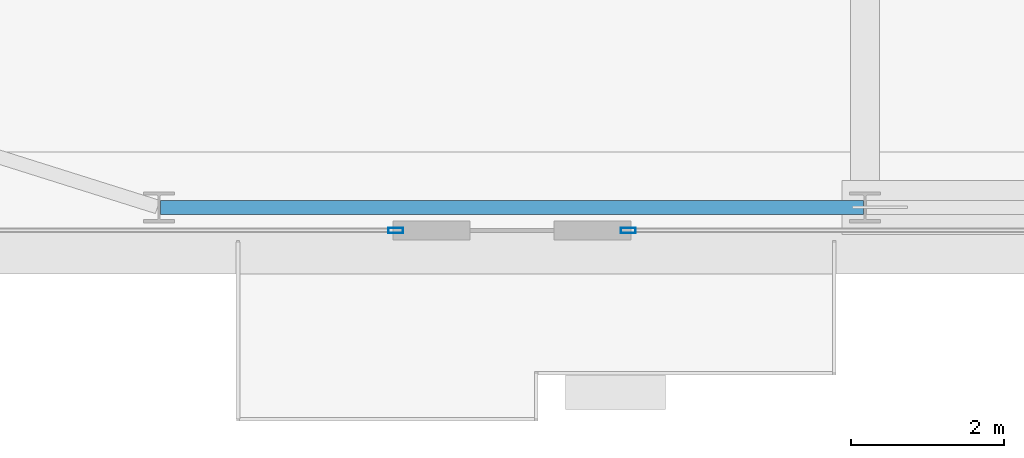
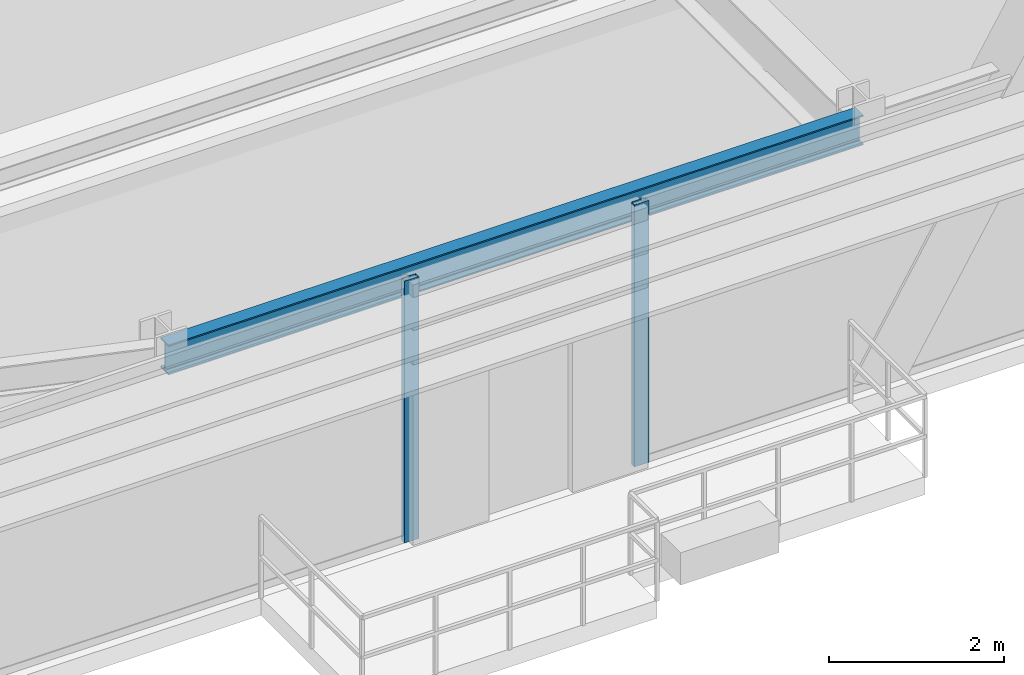
# One storey, part 5 of 32: 2 members, 1 beam, 2 elements without a shape of their own.
"""IFC4 building model written with IfcOpenShell, lengths in metres."""

from ifc_helpers import new_model, si_unit, direction, frame, origin, origin_2d, place, context, subcontext, project, spatial, hollow_rectangle, i_section, extrude, source, transform, mapped, material, layer, layer_set, material_profile, profile_set, type_object, type_shapes, element, aggregate, save


model = new_model("IFC4")

# Units and contexts
model_context = context("Model", 3, precision=1e-05, world=origin(), true_north=direction((0.0, 1.0)))
body_context = subcontext(model_context, "Body", "Model", "MODEL_VIEW")
ifc_project = project(units=[si_unit("LENGTHUNIT", "METRE"), si_unit("AREAUNIT", "SQUARE_METRE"), si_unit("VOLUMEUNIT", "CUBIC_METRE"), si_unit("PLANEANGLEUNIT", "RADIAN"), si_unit("MASSUNIT", "GRAM", prefix="KILO")], contexts=[model_context])

# Site, building, storey
site_placement = place(None, origin())
site = spatial("IfcSite", under=ifc_project, at=site_placement, CompositionType="ELEMENT")
building_placement = place(site_placement, origin())
building = spatial("IfcBuilding", under=site, at=building_placement, Name="Varnel Quay Broadcast Tower", CompositionType="ELEMENT")
storey_placement = place(building_placement, frame((0.0, 0.0, 43.199951171875)))
storey = spatial("IfcBuildingStorey", under=building, at=storey_placement, Name="L09", CompositionType="ELEMENT", Elevation=43.199951171875)

# Beam
ifc_material_1 = material(Name="Structural Steel CSA G40.21 350W", Category="steel")
ifc_material_profile_1 = material_profile(ifc_material_1, i_section(OverallWidth=0.180908203125, OverallDepth=0.4169921875, WebThickness=0.010986328125, FlangeThickness=0.018310546875, FilletRadius=0.011962890625, at=origin_2d()), Name="W410X85")
ifc_profile_set_1 = profile_set([ifc_material_profile_1], Name="Structural Steel CSA G40.21 350W")
beam_type = type_object("IfcBeamType", Name="Beam_W410X85", PredefinedType="SPANDREL", material=ifc_profile_set_1)
shared_shape_1 = source(origin(), body_context, "Body", "SweptSolid", [
    extrude(i_section(OverallWidth=0.180908203125, OverallDepth=0.4169921875, WebThickness=0.010986328125, FlangeThickness=0.018310546875, FilletRadius=0.011962890625, at=origin_2d()), origin(), (0.0, 0.0, 1.0), 9.159912109375),
])
type_shapes(beam_type, [shared_shape_1])
beam_placement = place(storey_placement, frame((15.6201171875, 1.64990234375, 3.441650390625), z_axis=(1.0, 0.0, 0.0), x_axis=(0.0, 1.0, 0.0)))
element("IfcBeam", 1, at=beam_placement, inside=storey, type_object=beam_type, Name="L09 South Spandrel TC-S1-TC-S2", PredefinedType="SPANDREL", context=body_context, shape_type="MappedRepresentation", body=[
    mapped(shared_shape_1, transform((0.0, 0.0, 0.0), x_axis=(1.0, 0.0, 0.0), y_axis=(0.0, 1.0, 0.0), z_axis=(0.0, 0.0, 1.0), scale=1.0)),
])

# Curtain wall, member
ifc_material_2 = material(Name="Anodised Bronze Aluminium 6063-T6", Category="aluminium")
ifc_layer = layer(ifc_material_2, 0.18994140625, Name="Anodised Bronze Aluminium 6063-T6")
ifc_layer_set = layer_set([ifc_layer], Name="Anodised Bronze Aluminium 6063-T6")
curtain_wall_type = type_object("IfcCurtainWallType", Name="CW_LowerTower", PredefinedType="NOTDEFINED", material=ifc_layer_set)
curtain_wall_1_placement = place(storey_placement, origin())
curtain_wall_1 = element("IfcCurtainWall", 2, at=curtain_wall_1_placement, inside=storey, type_object=curtain_wall_type, Name="L09 South Unitised Curtain Wall 1", PredefinedType="NOTDEFINED")
ifc_material_profile_2 = material_profile(ifc_material_2, hollow_rectangle(XDim=0.070068359375, YDim=0.18994140625, WallThickness=0.00390625, at=origin_2d()), Name="ALU70X190X4")
ifc_profile_set_2 = profile_set([ifc_material_profile_2], Name="Anodised Bronze Aluminium 6063-T6")
member_type = type_object("IfcMemberType", Name="Mull_CWS-02", PredefinedType="MULLION", material=ifc_profile_set_2)
shared_shape_2 = source(origin(), body_context, "Body", "SweptSolid", [
    extrude(hollow_rectangle(XDim=0.070068359375, YDim=0.18994140625, WallThickness=0.00390625, at=origin_2d()), origin(), (0.0, 0.0, 1.0), 3.650146484375),
])
type_shapes(member_type, [shared_shape_2])
member_1_placement = place(storey_placement, frame((18.68505859375, 1.35009765625, 0.0), z_axis=(0.0, 0.0, 1.0), x_axis=(0.0, 1.0, 0.0)))
member_1 = element("IfcMember", 3, at=member_1_placement, type_object=member_type, Name="CWS-02 mullion 2", PredefinedType="MULLION", context=body_context, shape_type="MappedRepresentation", body=[
    mapped(shared_shape_2, transform((0.0, 0.0, 0.0), x_axis=(1.0, 0.0, 0.0), y_axis=(0.0, 1.0, 0.0), z_axis=(0.0, 0.0, 1.0), scale=1.0)),
])
aggregate(curtain_wall_1, [member_1])

curtain_wall_2_placement = place(storey_placement, origin())
curtain_wall_2 = element("IfcCurtainWall", 4, at=curtain_wall_2_placement, inside=storey, type_object=curtain_wall_type, Name="L09 South Unitised Curtain Wall 2", PredefinedType="NOTDEFINED")
member_2_placement = place(storey_placement, frame((21.715087890625, 1.35009765625, 0.0), z_axis=(0.0, 0.0, 1.0), x_axis=(0.0, 1.0, 0.0)))
member_2 = element("IfcMember", 5, at=member_2_placement, type_object=member_type, Name="CWS-02 mullion 1", PredefinedType="MULLION", context=body_context, shape_type="MappedRepresentation", body=[
    mapped(shared_shape_2, transform((0.0, 0.0, 0.0), x_axis=(1.0, 0.0, 0.0), y_axis=(0.0, 1.0, 0.0), z_axis=(0.0, 0.0, 1.0), scale=1.0)),
])
aggregate(curtain_wall_2, [member_2])

save(model, "model.ifc")
